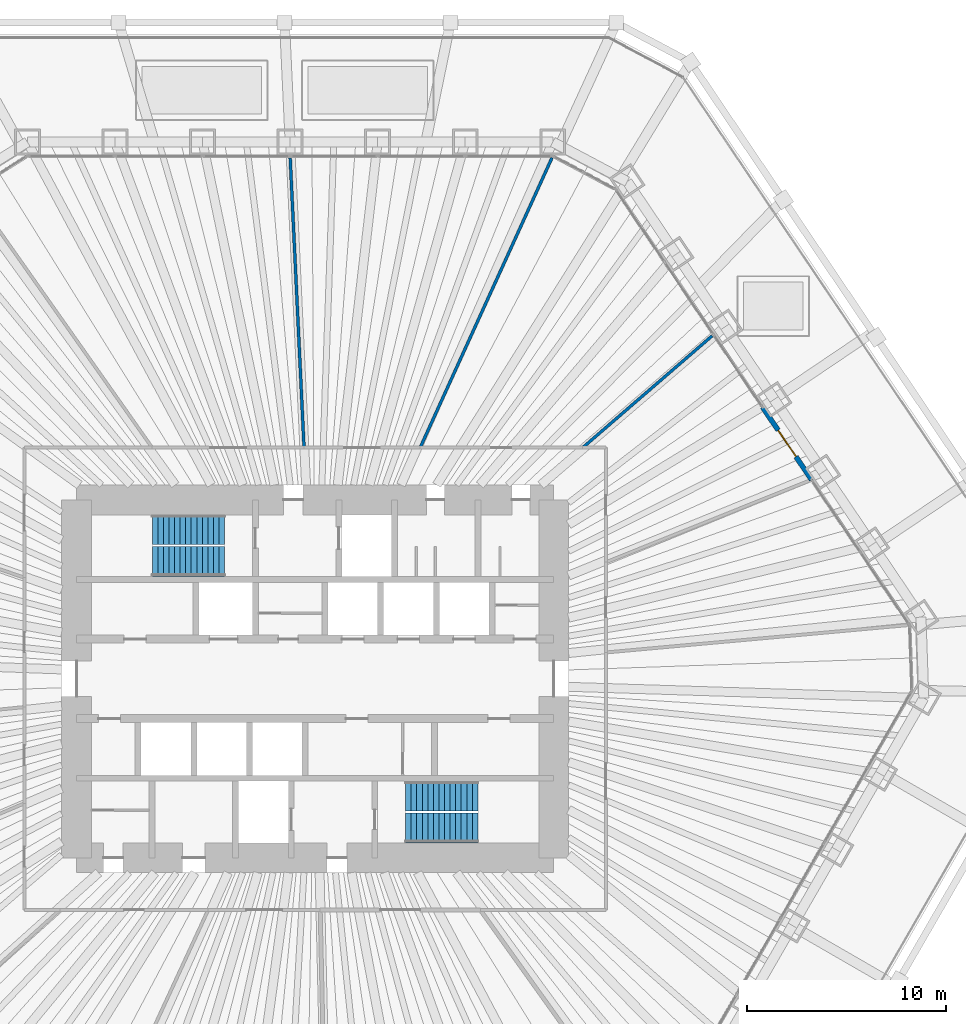
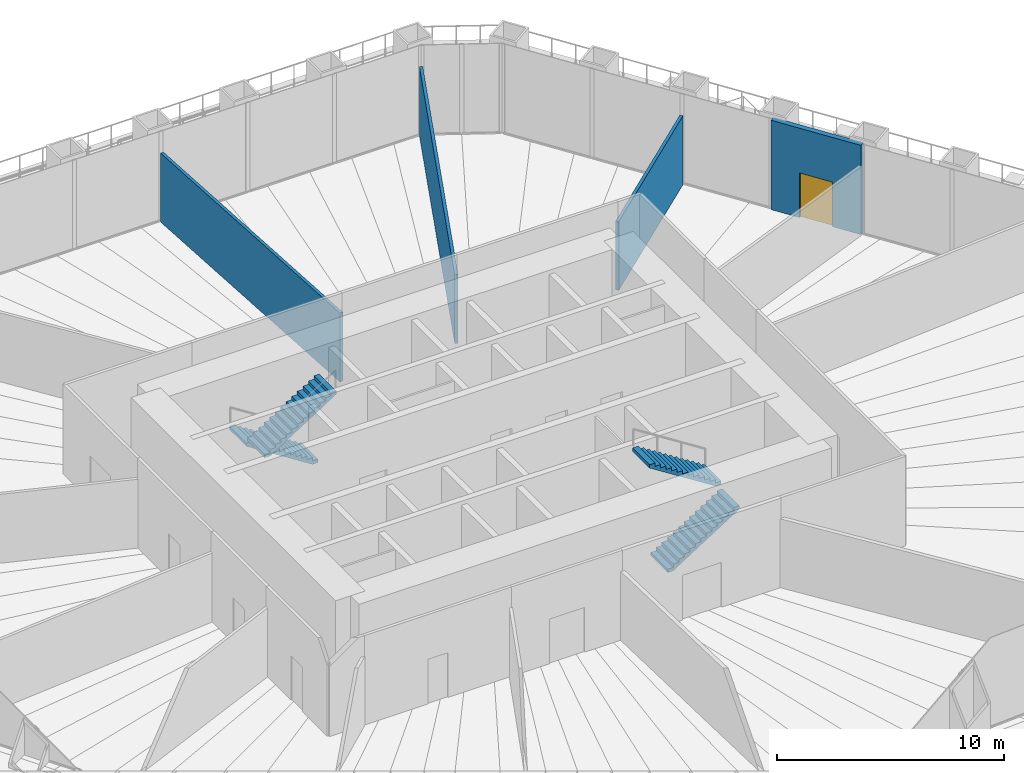
# One storey, part 17 of 20: 4 stair flights, 4 walls, 1 door, 1 opening, 2 elements without a shape of their own.
"""IFC4 building model written with IfcOpenShell, lengths in metres."""

from ifc_helpers import new_model, si_unit, direction, frame, frame_2d, origin, place, context, subcontext, project, spatial, polyline, rectangle, outline, extrude, material, layer, layer_set, type_object, element, fill, aggregate, save


model = new_model("IFC4")

# Units and contexts
model_context = context("Model", 3, precision=1e-05, world=origin(), true_north=direction((0.0, 1.0)))
body_context = subcontext(model_context, "Body", "Model", "MODEL_VIEW")
ifc_project = project(units=[si_unit("LENGTHUNIT", "METRE"), si_unit("AREAUNIT", "SQUARE_METRE"), si_unit("VOLUMEUNIT", "CUBIC_METRE"), si_unit("PLANEANGLEUNIT", "RADIAN"), si_unit("MASSUNIT", "GRAM", prefix="KILO")], contexts=[model_context])

# Site, building, storey
site_placement = place(None, origin())
site = spatial("IfcSite", under=ifc_project, at=site_placement, CompositionType="ELEMENT")
building_placement = place(site_placement, origin())
building = spatial("IfcBuilding", under=site, at=building_placement, Name="Qingtian Harvest Tower", CompositionType="ELEMENT")
storey_placement = place(building_placement, frame((0.0, 0.0, 17.0)))
storey = spatial("IfcBuildingStorey", under=building, at=storey_placement, Name="L03", CompositionType="ELEMENT", Elevation=17.0)

# Wall, opening, door
ifc_material_1 = material(Name="Bronze-clad steel-framed screen wall with fire-rated lining", Category="steel")
ifc_layer_1 = layer(ifc_material_1, 0.25)
ifc_layer_set_1 = layer_set([ifc_layer_1], Name="Facade door bay wall FW2 250")
wall_type_1 = type_object("IfcWallType", Name="Facade door bay wall FW2 250", PredefinedType="SOLIDWALL", material=ifc_layer_set_1)
wall_1_placement = place(storey_placement, frame((22.507080078125, 13.6640625, 0.0), z_axis=(0.0, 0.0, 1.0), x_axis=(0.559169135272, -0.829053603912, 0.0)))
wall_1 = element("IfcWall", 1, at=wall_1_placement, inside=storey, type_object=wall_type_1, Name="Terrace door bay NE3", PredefinedType="SOLIDWALL", context=body_context, shape_type="SweptSolid", body=[
    extrude(rectangle(XDim=4.404541015625, YDim=0.25, at=frame_2d((2.2021484375, 0.0))), origin(), (0.0, 0.0, 1.0), 4.800048828125),
])
opening_placement = place(wall_1_placement, frame((1.40234375, 0.0, 0.0)))
opening = element("IfcOpeningElement", 2, at=opening_placement, cuts=wall_1, Name="Opening TD1", PredefinedType="OPENING", context=body_context, shape_type="SweptSolid", body=[
    extrude(rectangle(XDim=1.60009765625, YDim=2.39990234375, at=frame_2d((0.800048828125, 1.199951171875))), frame((0.0, 0.135009765625, 0.0), z_axis=(0.0, -1.0, 0.0), x_axis=(1.0, 0.0, 0.0)), (0.0, 0.0, 1.0), 0.27001953125),
])
ifc_material_2 = material(Name="Bronze-framed glass door", Category="glass")
door_type = type_object("IfcDoorType", Name="Terrace door TD1 double", OperationType="DOUBLE_DOOR_DOUBLE_SWING", PredefinedType="DOOR", material=ifc_material_2)
door_placement = place(opening_placement, origin())
door = element("IfcDoor", 3, at=door_placement, inside=storey, type_object=door_type, Name="Terrace door NE3", OperationType="DOUBLE_DOOR_DOUBLE_SWING", OverallHeight=2.39990234375, OverallWidth=1.60009765625, PredefinedType="DOOR", context=body_context, shape_type="SweptSolid", body=[
    extrude(rectangle(XDim=1.60009765625, YDim=2.39990234375, at=frame_2d((0.800048828125, 1.199951171875))), frame((0.0, 0.02490234375, 0.0), z_axis=(0.0, -1.0, 0.0), x_axis=(1.0, 0.0, 0.0)), (0.0, 0.0, 1.0), 0.050048828125),
])
fill(opening, door)

# Walls
ifc_material_3 = material(Name="Gypsum board on steel studs", Category="steel")
ifc_layer_2 = layer(ifc_material_3, 0.14990234375)
ifc_layer_set_2 = layer_set([ifc_layer_2], Name="Partition PT1 150")
wall_type_2 = type_object("IfcWallType", Name="Partition PT1 150", PredefinedType="PARTITIONING", material=ifc_layer_set_2)
wall_2_placement = place(storey_placement, frame((-1.2529296875, 26.2001953125, 0.0), z_axis=(0.0, 0.0, 1.0), x_axis=(0.047767854541, -0.998858464485, 0.0)))
element("IfcWall", 4, at=wall_2_placement, inside=storey, type_object=wall_type_2, Name="Visitor reception room wall L03", PredefinedType="PARTITIONING", context=body_context, shape_type="SweptSolid", body=[
    extrude(rectangle(XDim=14.591796875, YDim=0.14990234375, at=frame_2d((7.2958984375, 0.0))), origin(), (0.0, 0.0, 1.0), 3.699951171875),
])
wall_3_placement = place(storey_placement, frame((11.914794921875, 26.208984375, 0.0), z_axis=(0.0, 0.0, 1.0), x_axis=(-0.41384427845, -0.910347688081, 0.0)))
element("IfcWall", 5, at=wall_3_placement, inside=storey, type_object=wall_type_2, Name="Germination room wall L03", PredefinedType="PARTITIONING", context=body_context, shape_type="SweptSolid", body=[
    extrude(rectangle(XDim=16.020263671875, YDim=0.14990234375, at=frame_2d((8.01025390625, 0.0))), origin(), (0.0, 0.0, 1.0), 3.699951171875),
])
wall_4_placement = place(storey_placement, frame((19.96826171875, 17.250244140625, 0.0), z_axis=(0.0, 0.0, 1.0), x_axis=(-0.75673751601, -0.65371884772, 0.0)))
element("IfcWall", 6, at=wall_4_placement, inside=storey, type_object=wall_type_2, Name="Tasting room wall L03", PredefinedType="PARTITIONING", context=body_context, shape_type="SweptSolid", body=[
    extrude(rectangle(XDim=8.60498046875, YDim=0.14990234375, at=frame_2d((4.302490234375, 0.0))), origin(), (0.0, 0.0, 1.0), 3.699951171875),
])

# Stair, stair flights
ifc_material_4 = material(Name="Concrete fc' 35 MPa", Category="concrete")
stair_type = type_object("IfcStairType", Name="Special stair ST2 5000", PredefinedType="HALF_TURN_STAIR", material=ifc_material_4)
stair_1_placement = place(storey_placement, origin())
stair_1 = element("IfcStair", 7, at=stair_1_placement, inside=storey, type_object=stair_type, Name="Special stair S1 L03", PredefinedType="HALF_TURN_STAIR")
ifc_material_5 = material(Name="Concrete fc' 35 MPa", Category="concrete")
stair_flight_type = type_object("IfcStairFlightType", Name="Stair flight SF2 5000", PredefinedType="STRAIGHT", material=ifc_material_5)
stair_flight_1_placement = place(storey_placement, frame((-4.550048828125, 7.5, 0.0), z_axis=(0.0, 0.0, 1.0), x_axis=(-1.0, 0.0, 0.0)))
stair_flight_1 = element("IfcStairFlight", 8, at=stair_flight_1_placement, type_object=stair_flight_type, Name="S1 flight 1", NumberOfRisers=14, NumberOfTreads=13, PredefinedType="STRAIGHT", RiserHeight=0.178571429, TreadLength=0.28, context=body_context, shape_type="SweptSolid", body=[
    extrude(outline(polyline([(0.0, 0.0), (0.0, 0.178466796875), (0.280029296875, 0.178466796875), (0.280029296875, 0.357177734375), (0.56005859375, 0.357177734375), (0.56005859375, 0.53564453125), (0.840087890625, 0.53564453125), (0.840087890625, 0.71435546875), (1.1201171875, 0.71435546875), (1.1201171875, 0.892822265625), (1.39990234375, 0.892822265625), (1.39990234375, 1.071533203125), (1.679931640625, 1.071533203125), (1.679931640625, 1.25), (1.9599609375, 1.25), (1.9599609375, 1.428466796875), (2.239990234375, 1.428466796875), (2.239990234375, 1.607177734375), (2.52001953125, 1.607177734375), (2.52001953125, 1.78564453125), (2.800048828125, 1.78564453125), (2.800048828125, 1.96435546875), (3.080078125, 1.96435546875), (3.080078125, 2.142822265625), (3.360107421875, 2.142822265625), (3.360107421875, 2.321533203125), (3.639892578125, 2.321533203125), (3.639892578125, 2.5), (3.639892578125, 2.1435546875), (0.27880859375, 0.0), (0.0, 0.0)])), frame((0.0, 0.75, 0.0), z_axis=(0.0, -1.0, 0.0), x_axis=(1.0, 0.0, 0.0)), (0.0, 0.0, 1.0), 1.5),
])
stair_flight_2_placement = place(storey_placement, frame((-8.18994140625, 5.89990234375, 2.5), z_axis=(0.0, 0.0, 1.0), x_axis=(1.0, 0.0, 0.0)))
stair_flight_2 = element("IfcStairFlight", 9, at=stair_flight_2_placement, type_object=stair_flight_type, Name="S1 flight 2", NumberOfRisers=14, NumberOfTreads=13, PredefinedType="STRAIGHT", RiserHeight=0.178571429, TreadLength=0.28, context=body_context, shape_type="SweptSolid", body=[
    extrude(outline(polyline([(0.0, 0.0), (0.0, 0.178466796875), (0.280029296875, 0.178466796875), (0.280029296875, 0.357177734375), (0.56005859375, 0.357177734375), (0.56005859375, 0.53564453125), (0.840087890625, 0.53564453125), (0.840087890625, 0.71435546875), (1.1201171875, 0.71435546875), (1.1201171875, 0.892822265625), (1.39990234375, 0.892822265625), (1.39990234375, 1.071533203125), (1.679931640625, 1.071533203125), (1.679931640625, 1.25), (1.9599609375, 1.25), (1.9599609375, 1.428466796875), (2.239990234375, 1.428466796875), (2.239990234375, 1.607177734375), (2.52001953125, 1.607177734375), (2.52001953125, 1.78564453125), (2.800048828125, 1.78564453125), (2.800048828125, 1.96435546875), (3.080078125, 1.96435546875), (3.080078125, 2.142822265625), (3.360107421875, 2.142822265625), (3.360107421875, 2.321533203125), (3.639892578125, 2.321533203125), (3.639892578125, 2.5), (3.639892578125, 2.1435546875), (0.27880859375, 0.0), (0.0, 0.0)])), frame((0.0, 0.75, 0.0), z_axis=(0.0, -1.0, 0.0), x_axis=(1.0, 0.0, 0.0)), (0.0, 0.0, 1.0), 1.5),
])
aggregate(stair_1, [stair_flight_1, stair_flight_2])

stair_2_placement = place(storey_placement, origin())
stair_2 = element("IfcStair", 10, at=stair_2_placement, inside=storey, type_object=stair_type, Name="Special stair S2 L03", PredefinedType="HALF_TURN_STAIR")
stair_flight_3_placement = place(storey_placement, frame((4.550048828125, -7.5, 0.0), z_axis=(0.0, 0.0, 1.0), x_axis=(1.0, 0.0, 0.0)))
stair_flight_3 = element("IfcStairFlight", 11, at=stair_flight_3_placement, type_object=stair_flight_type, Name="S2 flight 1", NumberOfRisers=14, NumberOfTreads=13, PredefinedType="STRAIGHT", RiserHeight=0.178571429, TreadLength=0.28, context=body_context, shape_type="SweptSolid", body=[
    extrude(outline(polyline([(0.0, 0.0), (0.0, 0.178466796875), (0.280029296875, 0.178466796875), (0.280029296875, 0.357177734375), (0.56005859375, 0.357177734375), (0.56005859375, 0.53564453125), (0.840087890625, 0.53564453125), (0.840087890625, 0.71435546875), (1.1201171875, 0.71435546875), (1.1201171875, 0.892822265625), (1.39990234375, 0.892822265625), (1.39990234375, 1.071533203125), (1.679931640625, 1.071533203125), (1.679931640625, 1.25), (1.9599609375, 1.25), (1.9599609375, 1.428466796875), (2.239990234375, 1.428466796875), (2.239990234375, 1.607177734375), (2.52001953125, 1.607177734375), (2.52001953125, 1.78564453125), (2.800048828125, 1.78564453125), (2.800048828125, 1.96435546875), (3.080078125, 1.96435546875), (3.080078125, 2.142822265625), (3.360107421875, 2.142822265625), (3.360107421875, 2.321533203125), (3.639892578125, 2.321533203125), (3.639892578125, 2.5), (3.639892578125, 2.1435546875), (0.27880859375, 0.0), (0.0, 0.0)])), frame((0.0, 0.75, 0.0), z_axis=(0.0, -1.0, 0.0), x_axis=(1.0, 0.0, 0.0)), (0.0, 0.0, 1.0), 1.5),
])
stair_flight_4_placement = place(storey_placement, frame((8.18994140625, -5.89990234375, 2.5), z_axis=(0.0, 0.0, 1.0), x_axis=(-1.0, 0.0, 0.0)))
stair_flight_4 = element("IfcStairFlight", 12, at=stair_flight_4_placement, type_object=stair_flight_type, Name="S2 flight 2", NumberOfRisers=14, NumberOfTreads=13, PredefinedType="STRAIGHT", RiserHeight=0.178571429, TreadLength=0.28, context=body_context, shape_type="SweptSolid", body=[
    extrude(outline(polyline([(0.0, 0.0), (0.0, 0.178466796875), (0.280029296875, 0.178466796875), (0.280029296875, 0.357177734375), (0.56005859375, 0.357177734375), (0.56005859375, 0.53564453125), (0.840087890625, 0.53564453125), (0.840087890625, 0.71435546875), (1.1201171875, 0.71435546875), (1.1201171875, 0.892822265625), (1.39990234375, 0.892822265625), (1.39990234375, 1.071533203125), (1.679931640625, 1.071533203125), (1.679931640625, 1.25), (1.9599609375, 1.25), (1.9599609375, 1.428466796875), (2.239990234375, 1.428466796875), (2.239990234375, 1.607177734375), (2.52001953125, 1.607177734375), (2.52001953125, 1.78564453125), (2.800048828125, 1.78564453125), (2.800048828125, 1.96435546875), (3.080078125, 1.96435546875), (3.080078125, 2.142822265625), (3.360107421875, 2.142822265625), (3.360107421875, 2.321533203125), (3.639892578125, 2.321533203125), (3.639892578125, 2.5), (3.639892578125, 2.1435546875), (0.27880859375, 0.0), (0.0, 0.0)])), frame((0.0, 0.75, 0.0), z_axis=(0.0, -1.0, 0.0), x_axis=(1.0, 0.0, 0.0)), (0.0, 0.0, 1.0), 1.5),
])
aggregate(stair_2, [stair_flight_3, stair_flight_4])

save(model, "model.ifc")
